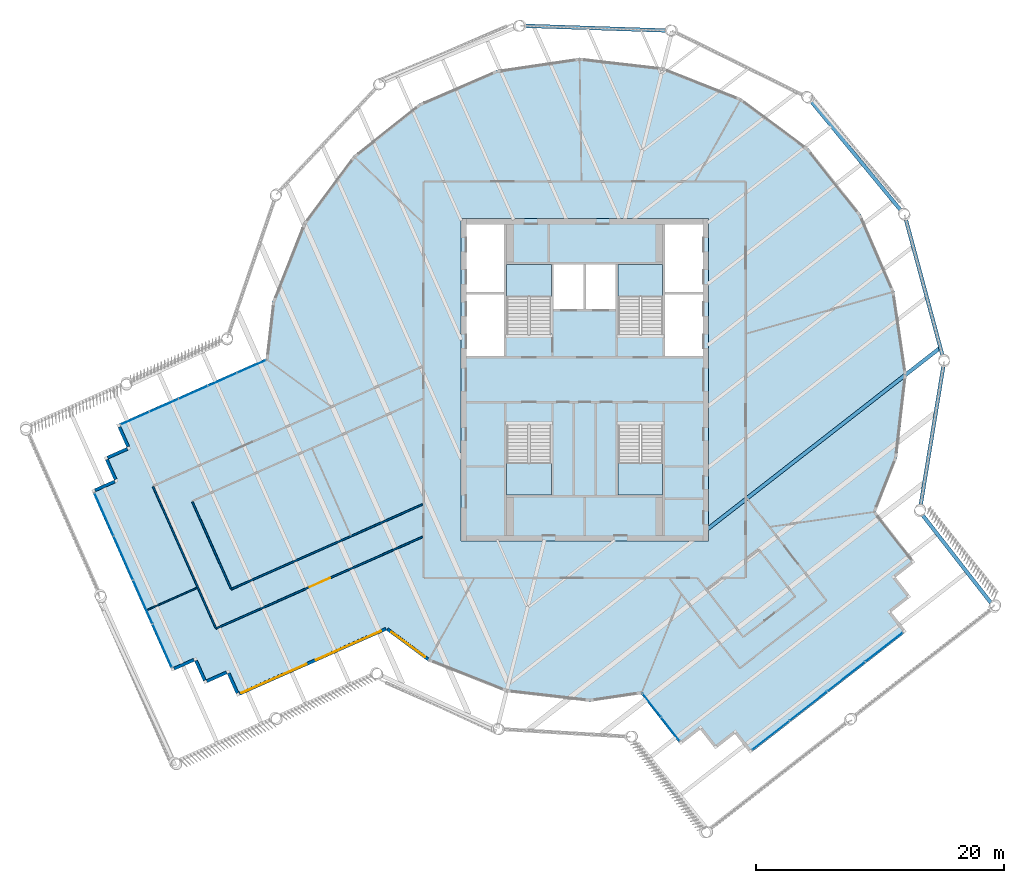
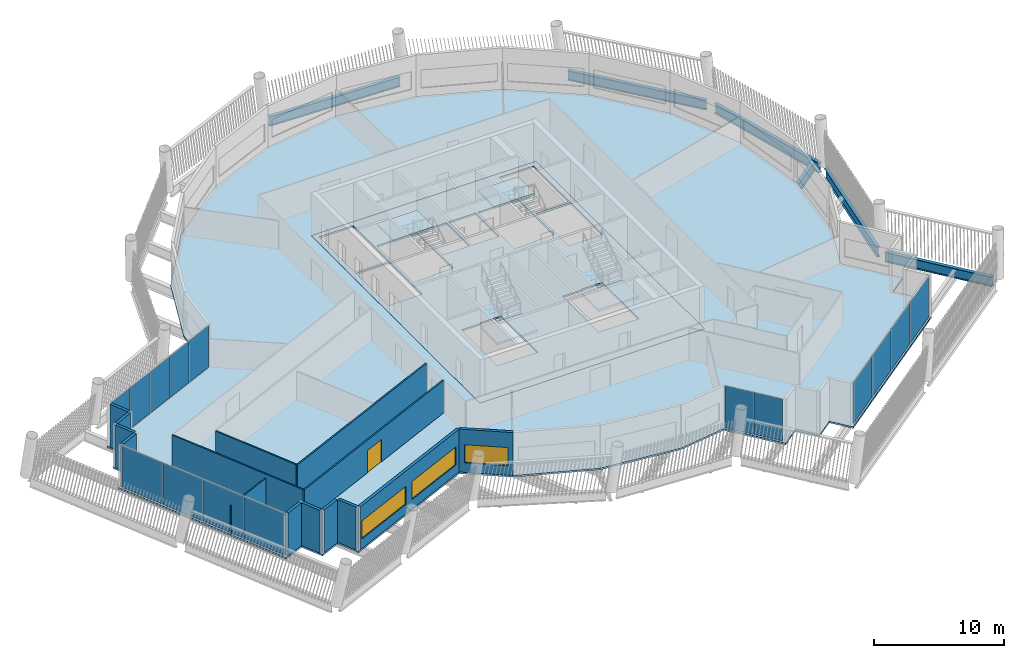
# One storey, part 16 of 28: 15 plates, 15 walls, 6 beams, 6 slabs, 3 windows, 1 door, 4 openings, 8 elements without a shape of their own.
"""IFC4 building model written with IfcOpenShell, lengths in metres."""

from ifc_helpers import new_model, si_unit, direction, frame, frame_2d, origin, origin_2d, place, context, subcontext, project, spatial, polyline, rectangle, i_section, outline, extrude, material, layer, layer_set, material_profile, profile_set, type_object, element, fill, aggregate, save


model = new_model("IFC4")

# Units and contexts
model_context = context("Model", 3, precision=1e-05, world=origin(), true_north=direction((0.0, 1.0)))
body_context = subcontext(model_context, "Body", "Model", "MODEL_VIEW")
ifc_project = project(units=[si_unit("LENGTHUNIT", "METRE"), si_unit("AREAUNIT", "SQUARE_METRE"), si_unit("VOLUMEUNIT", "CUBIC_METRE"), si_unit("PLANEANGLEUNIT", "RADIAN"), si_unit("MASSUNIT", "GRAM", prefix="KILO")], contexts=[model_context])

# Site, building, storey
site_placement = place(None, origin())
site = spatial("IfcSite", under=ifc_project, at=site_placement, CompositionType="ELEMENT")
building_placement = place(site_placement, origin())
building = spatial("IfcBuilding", under=site, at=building_placement, Name="Tarsis Ring Headquarters", CompositionType="ELEMENT")
storey_placement = place(building_placement, frame((0.0, 0.0, 381.800048828125)))
storey = spatial("IfcBuildingStorey", under=building, at=storey_placement, Name="L90", CompositionType="ELEMENT", Elevation=381.800048828125)

# Beams
ifc_material_1 = material(Name="Structural steel S355", Category="steel")
ifc_material_profile = material_profile(ifc_material_1, i_section(OverallWidth=0.3046875, OverallDepth=0.91943359375, WebThickness=0.017333984375, FlangeThickness=0.02783203125, at=origin_2d()), Name="W36x170")
ifc_profile_set = profile_set([ifc_material_profile], Name="Structural steel S355")
beam_type_1 = type_object("IfcBeamType", Name="FB Floor beam W36x170", PredefinedType="JOIST", material=ifc_profile_set)
beam_1_placement = place(storey_placement, frame((9.921142578125, -12.046142578125, -0.619873046875), z_axis=(0.788868763994, 0.614561691935, 0.0), x_axis=(-0.614561691935, 0.788868763994, 0.0)))
element("IfcBeam", 1, at=beam_1_placement, inside=storey, type_object=beam_type_1, Name="Floor beam FB9", PredefinedType="JOIST", context=body_context, shape_type="SweptSolid", body=[
    extrude(i_section(OverallWidth=0.3046875, OverallDepth=0.91943359375, WebThickness=0.017333984375, FlangeThickness=0.02783203125, at=origin_2d()), origin(), (0.0, 0.0, 1.0), 23.75048828125),
])
beam_type_2 = type_object("IfcBeamType", Name="XG Ring girder W36x170", PredefinedType="BEAM", material=ifc_profile_set)
beam_2_placement = place(storey_placement, frame((32.80908203125, -18.032470703125, -0.459716796875), z_axis=(-0.614568961732, 0.788863100465, 0.0), x_axis=(-0.788863100465, -0.614568961732, 0.0)))
element("IfcBeam", 2, at=beam_2_placement, inside=storey, type_object=beam_type_2, Name="Ring girder XG4", PredefinedType="BEAM", context=body_context, shape_type="SweptSolid", body=[
    extrude(i_section(OverallWidth=0.3046875, OverallDepth=0.91943359375, WebThickness=0.017333984375, FlangeThickness=0.02783203125, at=origin_2d()), origin(), (0.0, 0.0, 1.0), 8.9814453125),
])
for number, where, z_axis, x_axis, name in (
    (3, (27.102783203125, -10.216552734375, -0.459716796875), (0.161238084638, 0.986915538464, 0.0), (-0.986915538464, 0.161238084638, 0.0), "Ring girder XG4"),
    (4, (28.904541015625, 1.86328125, -0.459716796875), (-0.259892246761, 0.96563762358, 0.0), (-0.96563762358, -0.259892246761, 0.0), "Ring girder XG4"),
):
    element("IfcBeam", number, at=place(storey_placement, frame(where, z_axis=z_axis, x_axis=x_axis)), inside=storey, type_object=beam_type_2, Name=name, PredefinedType="BEAM", context=body_context, shape_type="SweptSolid", body=[
        extrude(i_section(OverallWidth=0.3046875, OverallDepth=0.91943359375, WebThickness=0.017333984375, FlangeThickness=0.02783203125, at=origin_2d()), origin(), (0.0, 0.0, 1.0), 11.42578125),
    ])
beam_3_placement = place(storey_placement, frame((25.56689453125, 13.61181640625, -0.459716796875), z_axis=(-0.634820071796, 0.772660000546, 0.0), x_axis=(-0.772660000546, -0.634820071796, 0.0)))
element("IfcBeam", 5, at=beam_3_placement, inside=storey, type_object=beam_type_2, Name="Ring girder XG4", PredefinedType="BEAM", context=body_context, shape_type="SweptSolid", body=[
    extrude(i_section(OverallWidth=0.3046875, OverallDepth=0.91943359375, WebThickness=0.017333984375, FlangeThickness=0.02783203125, at=origin_2d()), origin(), (0.0, 0.0, 1.0), 11.426025390625),
])
beam_4_placement = place(storey_placement, frame((6.655517578125, 28.189453125, -0.459716796875), z_axis=(-0.999445001837, 0.03331198439, 0.0), x_axis=(-0.03331198439, -0.999445001837, 0.0)))
element("IfcBeam", 6, at=beam_4_placement, inside=storey, type_object=beam_type_2, Name="Ring girder XG4", PredefinedType="BEAM", context=body_context, shape_type="SweptSolid", body=[
    extrude(i_section(OverallWidth=0.3046875, OverallDepth=0.91943359375, WebThickness=0.017333984375, FlangeThickness=0.02783203125, at=origin_2d()), origin(), (0.0, 0.0, 1.0), 11.42578125),
])

# Slab
ifc_material_2 = material(Name="Concrete C40/50", Category="concrete")
ifc_layer_1 = layer(ifc_material_2, 0.159912109375)
ifc_layer_set_1 = layer_set([ifc_layer_1], Name="Core floor slab 160 C40/50")
slab_type_1 = type_object("IfcSlabType", Name="Core floor slab 160 C40/50", PredefinedType="FLOOR", material=ifc_layer_set_1)
slab_1_placement = place(storey_placement, frame((0.0, 0.0, -0.16015625)))
element("IfcSlab", 7, at=slab_1_placement, inside=storey, type_object=slab_type_1, Name="L90 core floor slab", PredefinedType="FLOOR", context=body_context, shape_type="SweptSolid", body=[
    extrude(outline(polyline([(-10.0, -13.0), (10.0, -13.0), (10.0, 13.0), (-10.0, 13.0), (-10.0, -13.0)]), holes=[polyline([(-2.5, 5.699951171875), (-0.10009765625, 5.699951171875), (-0.10009765625, 9.300048828125), (-2.5, 9.300048828125), (-2.5, 5.699951171875)]), polyline([(0.10009765625, 5.699951171875), (2.5, 5.699951171875), (2.5, 9.300048828125), (0.10009765625, 9.300048828125), (0.10009765625, 5.699951171875)]), polyline([(-9.550048828125, 1.89990234375), (-6.5, 1.89990234375), (-6.5, 6.89990234375), (-9.550048828125, 6.89990234375), (-9.550048828125, 1.89990234375)]), polyline([(-9.550048828125, 7.10009765625), (-6.5, 7.10009765625), (-6.5, 12.550048828125), (-9.550048828125, 12.550048828125), (-9.550048828125, 7.10009765625)]), polyline([(6.5, 1.89990234375), (9.550048828125, 1.89990234375), (9.550048828125, 6.89990234375), (6.5, 6.89990234375), (6.5, 1.89990234375)]), polyline([(6.5, 7.10009765625), (9.550048828125, 7.10009765625), (9.550048828125, 12.550048828125), (6.5, 12.550048828125), (6.5, 7.10009765625)]), polyline([(-2.699951171875, 3.760009765625), (-2.699951171875, 9.300048828125), (-6.300048828125, 9.300048828125), (-6.300048828125, 3.659912109375), (-4.4599609375, 3.659912109375), (-4.4599609375, 3.760009765625), (-2.699951171875, 3.760009765625)]), polyline([(6.300048828125, 3.760009765625), (6.300048828125, 9.300048828125), (2.699951171875, 9.300048828125), (2.699951171875, 3.659912109375), (4.5400390625, 3.659912109375), (4.5400390625, 3.760009765625), (6.300048828125, 3.760009765625)]), polyline([(-6.300048828125, -3.760009765625), (-6.300048828125, -9.300048828125), (-2.699951171875, -9.300048828125), (-2.699951171875, -3.659912109375), (-4.5400390625, -3.659912109375), (-4.5400390625, -3.760009765625), (-6.300048828125, -3.760009765625)]), polyline([(2.699951171875, -3.760009765625), (2.699951171875, -9.300048828125), (6.300048828125, -9.300048828125), (6.300048828125, -3.659912109375), (4.4599609375, -3.659912109375), (4.4599609375, -3.760009765625), (2.699951171875, -3.760009765625)])]), origin(), (0.0, 0.0, 1.0), 0.16015625),
])

# Stair, slab
ifc_material_3 = material(Name="Core stair 1760")
stair_type = type_object("IfcStairType", Name="Core stair 1760", PredefinedType="HALF_TURN_STAIR", material=ifc_material_3)
stair_1_placement = place(storey_placement, origin())
stair_1 = element("IfcStair", 8, at=stair_1_placement, inside=storey, type_object=stair_type, Name="L90 Firefighting stair", PredefinedType="HALF_TURN_STAIR")
ifc_layer_2 = layer(ifc_material_2, 0.199951171875)
ifc_layer_set_2 = layer_set([ifc_layer_2], Name="Core stair landing 200")
slab_type_2 = type_object("IfcSlabType", Name="Core stair landing 200", PredefinedType="LANDING", material=ifc_layer_set_2)
slab_2_placement = place(storey_placement, frame((0.0, 0.0, 1.89990234375)))
slab_2 = element("IfcSlab", 9, at=slab_2_placement, type_object=slab_type_2, Name="Stair ST1 landing 1", PredefinedType="LANDING", context=body_context, shape_type="SweptSolid", body=[
    extrude(outline(polyline([(-2.699951171875, 6.739990234375), (-2.699951171875, 9.300048828125), (-6.300048828125, 9.300048828125), (-6.300048828125, 6.739990234375), (-2.699951171875, 6.739990234375)])), origin(), (0.0, 0.0, 1.0), 0.199951171875),
])
aggregate(stair_1, [slab_2])

stair_2_placement = place(storey_placement, origin())
stair_2 = element("IfcStair", 10, at=stair_2_placement, inside=storey, type_object=stair_type, Name="L90 Exit stair B", PredefinedType="HALF_TURN_STAIR")
slab_3_placement = place(storey_placement, frame((0.0, 0.0, 1.89990234375)))
slab_3 = element("IfcSlab", 11, at=slab_3_placement, type_object=slab_type_2, Name="Stair ST2 landing 1", PredefinedType="LANDING", context=body_context, shape_type="SweptSolid", body=[
    extrude(outline(polyline([(6.300048828125, 6.739990234375), (6.300048828125, 9.300048828125), (2.699951171875, 9.300048828125), (2.699951171875, 6.739990234375), (6.300048828125, 6.739990234375)])), origin(), (0.0, 0.0, 1.0), 0.199951171875),
])
aggregate(stair_2, [slab_3])

stair_3_placement = place(storey_placement, origin())
stair_3 = element("IfcStair", 12, at=stair_3_placement, inside=storey, type_object=stair_type, Name="L90 Exit stair C", PredefinedType="HALF_TURN_STAIR")
slab_4_placement = place(storey_placement, frame((0.0, 0.0, 1.89990234375)))
slab_4 = element("IfcSlab", 13, at=slab_4_placement, type_object=slab_type_2, Name="Stair ST3 landing 1", PredefinedType="LANDING", context=body_context, shape_type="SweptSolid", body=[
    extrude(outline(polyline([(-6.300048828125, -6.739990234375), (-6.300048828125, -9.300048828125), (-2.699951171875, -9.300048828125), (-2.699951171875, -6.739990234375), (-6.300048828125, -6.739990234375)])), origin(), (0.0, 0.0, 1.0), 0.199951171875),
])
aggregate(stair_3, [slab_4])

stair_4_placement = place(storey_placement, origin())
stair_4 = element("IfcStair", 14, at=stair_4_placement, inside=storey, type_object=stair_type, Name="L90 Exit stair D", PredefinedType="HALF_TURN_STAIR")
slab_5_placement = place(storey_placement, frame((0.0, 0.0, 1.89990234375)))
slab_5 = element("IfcSlab", 15, at=slab_5_placement, type_object=slab_type_2, Name="Stair ST4 landing 1", PredefinedType="LANDING", context=body_context, shape_type="SweptSolid", body=[
    extrude(outline(polyline([(2.699951171875, -6.739990234375), (2.699951171875, -9.300048828125), (6.300048828125, -9.300048828125), (6.300048828125, -6.739990234375), (2.699951171875, -6.739990234375)])), origin(), (0.0, 0.0, 1.0), 0.199951171875),
])
aggregate(stair_4, [slab_5])

# Curtain wall, plates
ifc_material_4 = material(Name="Aluminium curtain wall", Category="aluminium")
ifc_layer_3 = layer(ifc_material_4, 0.199951171875)
ifc_layer_set_3 = layer_set([ifc_layer_3], Name="Curtain wall executive tip")
curtain_wall_type_1 = type_object("IfcCurtainWallType", Name="Curtain wall executive tip", PredefinedType="NOTDEFINED", material=ifc_layer_set_3)
curtain_wall_1_placement = place(storey_placement, origin())
curtain_wall_1 = element("IfcCurtainWall", 16, at=curtain_wall_1_placement, inside=storey, type_object=curtain_wall_type_1, Name="Curtain wall L90-11", PredefinedType="NOTDEFINED")
ifc_material_5 = material(Name="Clear double glazing", Category="glass")
ifc_layer_4 = layer(ifc_material_5, 0.028076171875)
ifc_layer_set_4 = layer_set([ifc_layer_4], Name="Curtain wall glass panel executive tip")
plate_type_1 = type_object("IfcPlateType", Name="Curtain wall glass panel executive tip", PredefinedType="CURTAIN_PANEL", material=ifc_layer_set_4)
plate_1_placement = place(storey_placement, frame((15.017578125, -28.70654296875, 0.070068359375), z_axis=(0.0, 0.0, 1.0), x_axis=(0.788869647742, 0.61456055753, 0.0)))
plate_1 = element("IfcPlate", 17, at=plate_1_placement, type_object=plate_type_1, Name="CW-E panel 1.1", PredefinedType="CURTAIN_PANEL", context=body_context, shape_type="SweptSolid", body=[
    extrude(rectangle(XDim=3.77001953125, YDim=0.028076171875, at=origin_2d()), origin(), (0.0, 0.0, 1.0), 3.89990234375),
])
plate_2_placement = place(storey_placement, frame((18.060791015625, -26.3359375, 0.070068359375), z_axis=(0.0, 0.0, 1.0), x_axis=(0.788869647742, 0.61456055753, 0.0)))
plate_2 = element("IfcPlate", 18, at=plate_2_placement, type_object=plate_type_1, Name="CW-E panel 2.1", PredefinedType="CURTAIN_PANEL", context=body_context, shape_type="SweptSolid", body=[
    extrude(rectangle(XDim=3.804931640625, YDim=0.028076171875, at=origin_2d()), origin(), (0.0, 0.0, 1.0), 3.89990234375),
])
plate_3_placement = place(storey_placement, frame((21.11767578125, -23.95458984375, 0.070068359375), z_axis=(0.0, 0.0, 1.0), x_axis=(0.788869647742, 0.61456055753, 0.0)))
plate_3 = element("IfcPlate", 19, at=plate_3_placement, type_object=plate_type_1, Name="CW-E panel 3.1", PredefinedType="CURTAIN_PANEL", context=body_context, shape_type="SweptSolid", body=[
    extrude(rectangle(XDim=3.804931640625, YDim=0.028076171875, at=origin_2d()), origin(), (0.0, 0.0, 1.0), 3.89990234375),
])
plate_4_placement = place(storey_placement, frame((24.16064453125, -21.583740234375, 0.070068359375), z_axis=(0.0, 0.0, 1.0), x_axis=(0.788869647742, 0.61456055753, 0.0)))
plate_4 = element("IfcPlate", 20, at=plate_4_placement, type_object=plate_type_1, Name="CW-E panel 4.1", PredefinedType="CURTAIN_PANEL", context=body_context, shape_type="SweptSolid", body=[
    extrude(rectangle(XDim=3.77001953125, YDim=0.028076171875, at=origin_2d()), origin(), (0.0, 0.0, 1.0), 3.89990234375),
])
aggregate(curtain_wall_1, [plate_1, plate_2, plate_3, plate_4])

curtain_wall_2_placement = place(storey_placement, origin())
curtain_wall_2 = element("IfcCurtainWall", 21, at=curtain_wall_2_placement, inside=storey, type_object=curtain_wall_type_1, Name="Curtain wall L90-36", PredefinedType="NOTDEFINED")
plate_5_placement = place(storey_placement, frame((-38.7998046875, -10.870361328125, 0.070068359375), z_axis=(0.0, 0.0, 1.0), x_axis=(0.405460771432, -0.914112445397, 0.0)))
plate_5 = element("IfcPlate", 22, at=plate_5_placement, type_object=plate_type_1, Name="CW-E panel 1.1", PredefinedType="CURTAIN_PANEL", context=body_context, shape_type="SweptSolid", body=[
    extrude(rectangle(XDim=3.77001953125, YDim=0.028076171875, at=origin_2d()), origin(), (0.0, 0.0, 1.0), 3.89990234375),
])
plate_6_placement = place(storey_placement, frame((-37.23583984375, -14.396728515625, 0.070068359375), z_axis=(0.0, 0.0, 1.0), x_axis=(0.405460771432, -0.914112445397, 0.0)))
plate_6 = element("IfcPlate", 23, at=plate_6_placement, type_object=plate_type_1, Name="CW-E panel 2.1", PredefinedType="CURTAIN_PANEL", context=body_context, shape_type="SweptSolid", body=[
    extrude(rectangle(XDim=3.804931640625, YDim=0.028076171875, at=origin_2d()), origin(), (0.0, 0.0, 1.0), 3.89990234375),
])
plate_7_placement = place(storey_placement, frame((-35.66455078125, -17.938720703125, 0.070068359375), z_axis=(0.0, 0.0, 1.0), x_axis=(0.405460771432, -0.914112445397, 0.0)))
plate_7 = element("IfcPlate", 24, at=plate_7_placement, type_object=plate_type_1, Name="CW-E panel 3.1", PredefinedType="CURTAIN_PANEL", context=body_context, shape_type="SweptSolid", body=[
    extrude(rectangle(XDim=3.804931640625, YDim=0.028076171875, at=origin_2d()), origin(), (0.0, 0.0, 1.0), 3.89990234375),
])
plate_8_placement = place(storey_placement, frame((-34.1005859375, -21.465087890625, 0.070068359375), z_axis=(0.0, 0.0, 1.0), x_axis=(0.405460771432, -0.914112445397, 0.0)))
plate_8 = element("IfcPlate", 25, at=plate_8_placement, type_object=plate_type_1, Name="CW-E panel 4.1", PredefinedType="CURTAIN_PANEL", context=body_context, shape_type="SweptSolid", body=[
    extrude(rectangle(XDim=3.77001953125, YDim=0.028076171875, at=origin_2d()), origin(), (0.0, 0.0, 1.0), 3.89990234375),
])
aggregate(curtain_wall_2, [plate_5, plate_6, plate_7, plate_8])

ifc_layer_5 = layer(ifc_material_4, 0.14990234375)
ifc_layer_set_5 = layer_set([ifc_layer_5], Name="Curtain wall tower unit")
curtain_wall_type_2 = type_object("IfcCurtainWallType", Name="Curtain wall tower unit", PredefinedType="NOTDEFINED", material=ifc_layer_set_5)
curtain_wall_3_placement = place(storey_placement, origin())
curtain_wall_3 = element("IfcCurtainWall", 26, at=curtain_wall_3_placement, inside=storey, type_object=curtain_wall_type_2, Name="Curtain wall L90-06", PredefinedType="NOTDEFINED")
ifc_layer_6 = layer(ifc_material_5, 0.028076171875)
ifc_layer_set_6 = layer_set([ifc_layer_6], Name="Curtain wall glass panel tower unit")
plate_type_2 = type_object("IfcPlateType", Name="Curtain wall glass panel tower unit", PredefinedType="CURTAIN_PANEL", material=ifc_layer_set_6)
plate_9_placement = place(storey_placement, frame((5.4267578125, -26.288818359375, 0.06005859375), z_axis=(0.0, 0.0, 1.0), x_axis=(0.61456050561, -0.78886968819, 0.0)))
plate_9 = element("IfcPlate", 27, at=plate_9_placement, type_object=plate_type_2, Name="CW-T panel 1.1", PredefinedType="CURTAIN_PANEL", context=body_context, shape_type="SweptSolid", body=[
    extrude(rectangle(XDim=2.37109375, YDim=0.028076171875, at=origin_2d()), origin(), (0.0, 0.0, 1.0), 3.919921875),
])
plate_10_placement = place(storey_placement, frame((6.9208984375, -28.20654296875, 0.06005859375), z_axis=(0.0, 0.0, 1.0), x_axis=(0.61456050561, -0.78886968819, 0.0)))
plate_10 = element("IfcPlate", 28, at=plate_10_placement, type_object=plate_type_2, Name="CW-T panel 2.1", PredefinedType="CURTAIN_PANEL", context=body_context, shape_type="SweptSolid", body=[
    extrude(rectangle(XDim=2.37109375, YDim=0.028076171875, at=origin_2d()), origin(), (0.0, 0.0, 1.0), 3.919921875),
])
aggregate(curtain_wall_3, [plate_9, plate_10])

curtain_wall_4_placement = place(storey_placement, origin())
curtain_wall_4 = element("IfcCurtainWall", 29, at=curtain_wall_4_placement, inside=storey, type_object=curtain_wall_type_2, Name="Curtain wall L90-31", PredefinedType="NOTDEFINED")
plate_11_placement = place(storey_placement, frame((-26.89404296875, 1.061767578125, 0.06005859375), z_axis=(0.0, 0.0, 1.0), x_axis=(-0.914112489697, -0.405460671558, 0.0)))
plate_11 = element("IfcPlate", 30, at=plate_11_placement, type_object=plate_type_2, Name="CW-T panel 1.1", PredefinedType="CURTAIN_PANEL", context=body_context, shape_type="SweptSolid", body=[
    extrude(rectangle(XDim=2.490234375, YDim=0.028076171875, at=origin_2d()), origin(), (0.0, 0.0, 1.0), 3.919921875),
])
plate_12_placement = place(storey_placement, frame((-29.239013671875, 0.021484375, 0.06005859375), z_axis=(0.0, 0.0, 1.0), x_axis=(-0.914112489697, -0.405460671558, 0.0)))
plate_12 = element("IfcPlate", 31, at=plate_12_placement, type_object=plate_type_2, Name="CW-T panel 2.1", PredefinedType="CURTAIN_PANEL", context=body_context, shape_type="SweptSolid", body=[
    extrude(rectangle(XDim=2.520263671875, YDim=0.028076171875, at=origin_2d()), origin(), (0.0, 0.0, 1.0), 3.919921875),
])
plate_13_placement = place(storey_placement, frame((-31.59765625, -1.024658203125, 0.06005859375), z_axis=(0.0, 0.0, 1.0), x_axis=(-0.914112489697, -0.405460671558, 0.0)))
plate_13 = element("IfcPlate", 32, at=plate_13_placement, type_object=plate_type_2, Name="CW-T panel 3.1", PredefinedType="CURTAIN_PANEL", context=body_context, shape_type="SweptSolid", body=[
    extrude(rectangle(XDim=2.520263671875, YDim=0.028076171875, at=origin_2d()), origin(), (0.0, 0.0, 1.0), 3.919921875),
])
plate_14_placement = place(storey_placement, frame((-33.956298828125, -2.07080078125, 0.06005859375), z_axis=(0.0, 0.0, 1.0), x_axis=(-0.914112489697, -0.405460671558, 0.0)))
plate_14 = element("IfcPlate", 33, at=plate_14_placement, type_object=plate_type_2, Name="CW-T panel 4.1", PredefinedType="CURTAIN_PANEL", context=body_context, shape_type="SweptSolid", body=[
    extrude(rectangle(XDim=2.520263671875, YDim=0.028076171875, at=origin_2d()), origin(), (0.0, 0.0, 1.0), 3.919921875),
])
plate_15_placement = place(storey_placement, frame((-36.30126953125, -3.11083984375, 0.06005859375), z_axis=(0.0, 0.0, 1.0), x_axis=(-0.914112489697, -0.405460671558, 0.0)))
plate_15 = element("IfcPlate", 34, at=plate_15_placement, type_object=plate_type_2, Name="CW-T panel 5.1", PredefinedType="CURTAIN_PANEL", context=body_context, shape_type="SweptSolid", body=[
    extrude(rectangle(XDim=2.490234375, YDim=0.028076171875, at=origin_2d()), origin(), (0.0, 0.0, 1.0), 3.919921875),
])
aggregate(curtain_wall_4, [plate_11, plate_12, plate_13, plate_14, plate_15])

# Slab
ifc_material_6 = material(Name="Concrete C35/45", Category="concrete")
ifc_layer_7 = layer(ifc_material_6, 0.159912109375)
ifc_layer_set_7 = layer_set([ifc_layer_7], Name="FS Composite floor slab 160")
slab_type_3 = type_object("IfcSlabType", Name="FS Composite floor slab 160", PredefinedType="FLOOR", material=ifc_layer_set_7)
slab_6_placement = place(storey_placement, frame((0.0, 0.0, -0.16015625)))
element("IfcSlab", 35, at=slab_6_placement, inside=storey, type_object=slab_type_3, Name="Floor slab L90", PredefinedType="FLOOR", context=body_context, shape_type="SweptSolid", body=[
    extrude(outline(polyline([(-16.001953125, -20.22509765625), (-12.63671875, -22.722412109375), (-6.3251953125, -25.218994140625), (0.41748046875, -25.99658203125), (4.562744140625, -25.383056640625), (7.7412109375, -29.463134765625), (9.319091796875, -28.23388671875), (10.548095703125, -29.811767578125), (12.1259765625, -28.58251953125), (13.35498046875, -30.160400390625), (25.976806640625, -20.327392578125), (24.747802734375, -18.74951171875), (26.325439453125, -17.5205078125), (25.096435546875, -15.942626953125), (26.674072265625, -14.713623046875), (23.50830078125, -10.64990234375), (25.218994140625, -6.3251953125), (25.99658203125, 0.41748046875), (25.002685546875, 7.131591796875), (22.304931640625, 13.35986328125), (18.087158203125, 18.677490234375), (12.63671875, 22.722412109375), (6.3251953125, 25.218994140625), (-0.41748046875, 25.99658203125), (-7.131591796875, 25.002685546875), (-13.35986328125, 22.304931640625), (-18.677490234375, 18.087158203125), (-22.722412109375, 12.63671875), (-25.218994140625, 6.3251953125), (-25.751708984375, 1.705078125), (-37.773681640625, -3.627197265625), (-36.962646484375, -5.45556640625), (-38.790771484375, -6.266357421875), (-37.97998046875, -8.0947265625), (-39.80810546875, -8.905517578125), (-33.32080078125, -23.53125), (-31.49267578125, -22.720458984375), (-30.681640625, -24.548583984375), (-28.853515625, -23.73779296875), (-28.04248046875, -25.56591796875), (-16.001953125, -20.22509765625)]), holes=[polyline([(-10.0, -13.0), (-10.0, 13.0), (10.0, 13.0), (10.0, -13.0), (-10.0, -13.0)])]), origin(), (0.0, 0.0, 1.0), 0.16015625),
])

# Wall
ifc_material_7 = material(Name="Gypsum board on steel studs", Category="steel")
ifc_layer_8 = layer(ifc_material_7, 0.10009765625)
ifc_layer_set_8 = layer_set([ifc_layer_8], Name="FL partition 100 unrated")
wall_type_1 = type_object("IfcWallType", Name="FL partition 100 unrated", PredefinedType="PARTITIONING", material=ifc_layer_set_8)
wall_1_placement = place(storey_placement, frame((-35.436279296875, -18.638916015625, 0.0), z_axis=(0.0, 0.0, 1.0), x_axis=(0.914112877438, 0.405459797393, 0.0)))
element("IfcWall", 36, at=wall_1_placement, inside=storey, type_object=wall_type_1, Name="Partition PW3", PredefinedType="PARTITIONING", context=body_context, shape_type="SweptSolid", body=[
    extrude(rectangle(XDim=4.5400390625, YDim=0.10009765625, at=frame_2d((2.27001953125, 0.0))), origin(), (0.0, 0.0, 1.0), 2.699951171875),
])

# Wall, opening, door
ifc_layer_9 = layer(ifc_material_7, 0.125)
ifc_layer_set_9 = layer_set([ifc_layer_9], Name="FL partition 125 EI 60 H3070")
wall_type_2 = type_object("IfcWallType", Name="FL partition 125 EI 60 H3070", PredefinedType="PARTITIONING", material=ifc_layer_set_9)
wall_2_placement = place(storey_placement, frame((-29.75439453125, -20.07861328125, 0.0), z_axis=(0.0, 0.0, 1.0), x_axis=(0.91411268773, 0.405460225092, 0.0)))
wall_2 = element("IfcWall", 37, at=wall_2_placement, inside=storey, type_object=wall_type_2, Name="Partition PW1H307", PredefinedType="PARTITIONING", context=body_context, shape_type="SweptSolid", body=[
    extrude(rectangle(XDim=18.238525390625, YDim=0.125, at=frame_2d((9.119140625, 0.0))), origin(), (0.0, 0.0, 1.0), 3.070068359375),
])
opening_1_placement = place(wall_2_placement, frame((8.264404296875, 0.0, 0.0)))
opening_1 = element("IfcOpeningElement", 38, at=opening_1_placement, cuts=wall_2, Name="Opening D90.01", PredefinedType="OPENING", context=body_context, shape_type="SweptSolid", body=[
    extrude(rectangle(XDim=1.800048828125, YDim=2.10009765625, at=frame_2d((0.89990234375, 1.050048828125))), frame((0.0, 0.072509765625, 0.0), z_axis=(0.0, -1.0, 0.0), x_axis=(1.0, 0.0, 0.0)), (0.0, 0.0, 1.0), 0.14501953125),
])
ifc_material_8 = material(Name="Fire-rated timber door leaf in steel frame", Category="steel")
door_type = type_object("IfcDoorType", Name="FL door FD60-1800", OperationType="DOUBLE_DOOR_SINGLE_SWING", PredefinedType="DOOR", material=ifc_material_8)
door_placement = place(opening_1_placement, origin())
door = element("IfcDoor", 39, at=door_placement, inside=storey, type_object=door_type, Name="Door D90.01", OperationType="DOUBLE_DOOR_SINGLE_SWING", OverallHeight=2.10009765625, OverallWidth=1.800048828125, PredefinedType="DOOR", context=body_context, shape_type="SweptSolid", body=[
    extrude(rectangle(XDim=1.800048828125, YDim=2.10009765625, at=frame_2d((0.89990234375, 1.050048828125))), frame((0.0, 0.02490234375, 0.0), z_axis=(0.0, -1.0, 0.0), x_axis=(1.0, 0.0, 0.0)), (0.0, 0.0, 1.0), 0.050048828125),
])
fill(opening_1, door)

# Walls
wall_3_placement = place(storey_placement, frame((-28.53369140625, -16.911865234375, 0.0), z_axis=(0.0, 0.0, 1.0), x_axis=(0.914108510454, 0.405469642655, 0.0)))
element("IfcWall", 40, at=wall_3_placement, inside=storey, type_object=wall_type_2, Name="Partition PW1H307", PredefinedType="PARTITIONING", context=body_context, shape_type="SweptSolid", body=[
    extrude(rectangle(XDim=16.9033203125, YDim=0.125, at=frame_2d((8.45166015625, 0.0))), origin(), (0.0, 0.0, 1.0), 3.070068359375),
])
wall_4_placement = place(storey_placement, frame((-34.830810546875, -8.634033203125, 0.0), z_axis=(0.0, 0.0, 1.0), x_axis=(0.40545660645, -0.914114292791, 0.0)))
element("IfcWall", 41, at=wall_4_placement, inside=storey, type_object=wall_type_2, Name="Partition PW1H307", PredefinedType="PARTITIONING", context=body_context, shape_type="SweptSolid", body=[
    extrude(rectangle(XDim=12.4599609375, YDim=0.125, at=frame_2d((6.22998046875, 0.0))), origin(), (0.0, 0.0, 1.0), 3.070068359375),
])
wall_5_placement = place(storey_placement, frame((-31.663818359375, -9.854736328125, 0.0), z_axis=(0.0, 0.0, 1.0), x_axis=(0.405443408101, -0.914120146823, 0.0)))
element("IfcWall", 42, at=wall_5_placement, inside=storey, type_object=wall_type_2, Name="Partition PW1H307", PredefinedType="PARTITIONING", context=body_context, shape_type="SweptSolid", body=[
    extrude(rectangle(XDim=7.66015625, YDim=0.125, at=frame_2d((3.830078125, 0.0))), origin(), (0.0, 0.0, 1.0), 3.070068359375),
])

# Wall, openings, windows
ifc_material_9 = material(Name="Terracotta clad insulated panel wall", Category="masonry")
ifc_layer_10 = layer(ifc_material_9, 0.25)
ifc_layer_set_10 = layer_set([ifc_layer_10], Name="Facade wall terracotta panel 250")
wall_type_3 = type_object("IfcWallType", Name="Facade wall terracotta panel 250", PredefinedType="STANDARD", material=ifc_layer_set_10)
wall_6_placement = place(storey_placement, frame((-27.86474609375, -25.350341796875, 0.0), z_axis=(0.0, 0.0, 1.0), x_axis=(0.914109697676, 0.405466966121, 0.0)))
wall_6 = element("IfcWall", 43, at=wall_6_placement, inside=storey, type_object=wall_type_3, Name="External wall L90-01", PredefinedType="STANDARD", context=body_context, shape_type="SweptSolid", body=[
    extrude(rectangle(XDim=12.922119140625, YDim=0.25, at=frame_2d((6.4609375, 0.0))), origin(), (0.0, 0.0, 1.0), 4.0400390625),
])
opening_2_placement = place(wall_6_placement, frame((0.16796875, 0.0, 0.89990234375)))
opening_2 = element("IfcOpeningElement", 44, at=opening_2_placement, cuts=wall_6, Name="Opening WN06", PredefinedType="OPENING", context=body_context, shape_type="SweptSolid", body=[
    extrude(rectangle(XDim=5.75, YDim=1.699951171875, at=frame_2d((2.875, 0.85009765625))), frame((0.0, 0.135009765625, 0.0), z_axis=(0.0, -1.0, 0.0), x_axis=(1.0, 0.0, 0.0)), (0.0, 0.0, 1.0), 0.27001953125),
])
opening_3_placement = place(wall_6_placement, frame((6.75390625, 0.0, 0.89990234375)))
opening_3 = element("IfcOpeningElement", 45, at=opening_3_placement, cuts=wall_6, Name="Opening WN06", PredefinedType="OPENING", context=body_context, shape_type="SweptSolid", body=[
    extrude(rectangle(XDim=5.75, YDim=1.699951171875, at=frame_2d((2.875, 0.85009765625))), frame((0.0, 0.135009765625, 0.0), z_axis=(0.0, -1.0, 0.0), x_axis=(1.0, 0.0, 0.0)), (0.0, 0.0, 1.0), 0.27001953125),
])
ifc_material_10 = material(Name="Aluminium framed double glazing", Category="aluminium")
window_type_1 = type_object("IfcWindowType", Name="Facade window 5750 x 1700", PartitioningType="SINGLE_PANEL", PredefinedType="WINDOW", material=ifc_material_10)
window_1_placement = place(opening_2_placement, origin())
window_1 = element("IfcWindow", 46, at=window_1_placement, inside=storey, type_object=window_type_1, Name="Window L90-01.1", OverallHeight=1.699951171875, OverallWidth=5.75, PartitioningType="SINGLE_PANEL", PredefinedType="WINDOW", context=body_context, shape_type="SweptSolid", body=[
    extrude(rectangle(XDim=5.75, YDim=1.699951171875, at=frame_2d((2.875, 0.85009765625))), frame((0.0, 0.030029296875, 0.0), z_axis=(0.0, -1.0, 0.0), x_axis=(1.0, 0.0, 0.0)), (0.0, 0.0, 1.0), 0.06005859375),
])
fill(opening_2, window_1)
window_2_placement = place(opening_3_placement, origin())
window_2 = element("IfcWindow", 47, at=window_2_placement, inside=storey, type_object=window_type_1, Name="Window L90-01.2", OverallHeight=1.699951171875, OverallWidth=5.75, PartitioningType="SINGLE_PANEL", PredefinedType="WINDOW", context=body_context, shape_type="SweptSolid", body=[
    extrude(rectangle(XDim=5.75, YDim=1.699951171875, at=frame_2d((2.875, 0.85009765625))), frame((0.0, 0.030029296875, 0.0), z_axis=(0.0, -1.0, 0.0), x_axis=(1.0, 0.0, 0.0)), (0.0, 0.0, 1.0), 0.06005859375),
])
fill(opening_3, window_2)

# Wall, opening, window
wall_7_placement = place(storey_placement, frame((-15.92724609375, -20.124755859375, 0.0), z_axis=(0.0, 0.0, 1.0), x_axis=(0.803012815124, -0.595961759466, 0.0)))
wall_7 = element("IfcWall", 48, at=wall_7_placement, inside=storey, type_object=wall_type_3, Name="External wall L90-02", PredefinedType="STANDARD", context=body_context, shape_type="SweptSolid", body=[
    extrude(rectangle(XDim=4.15771484375, YDim=0.25, at=frame_2d((2.078857421875, 0.0))), origin(), (0.0, 0.0, 1.0), 4.0400390625),
])
opening_4_placement = place(wall_7_placement, frame((0.420166015625, 0.0, 0.89990234375)))
opening_4 = element("IfcOpeningElement", 49, at=opening_4_placement, cuts=wall_7, Name="Opening WN01", PredefinedType="OPENING", context=body_context, shape_type="SweptSolid", body=[
    extrude(rectangle(XDim=3.35009765625, YDim=1.699951171875, at=frame_2d((1.675048828125, 0.85009765625))), frame((0.0, 0.135009765625, 0.0), z_axis=(0.0, -1.0, 0.0), x_axis=(1.0, 0.0, 0.0)), (0.0, 0.0, 1.0), 0.27001953125),
])
window_type_2 = type_object("IfcWindowType", Name="Facade window 3350 x 1700", PartitioningType="SINGLE_PANEL", PredefinedType="WINDOW", material=ifc_material_10)
window_3_placement = place(opening_4_placement, origin())
window_3 = element("IfcWindow", 50, at=window_3_placement, inside=storey, type_object=window_type_2, Name="Window L90-02.1", OverallHeight=1.699951171875, OverallWidth=3.35009765625, PartitioningType="SINGLE_PANEL", PredefinedType="WINDOW", context=body_context, shape_type="SweptSolid", body=[
    extrude(rectangle(XDim=3.35009765625, YDim=1.699951171875, at=frame_2d((1.675048828125, 0.85009765625))), frame((0.0, 0.030029296875, 0.0), z_axis=(0.0, -1.0, 0.0), x_axis=(1.0, 0.0, 0.0)), (0.0, 0.0, 1.0), 0.06005859375),
])
fill(opening_4, window_3)

# Walls
for number, where, z_axis, x_axis, name in (
    (51, (-37.557861328125, -3.80517578125, 0.0), (0.0, 0.0, 1.0), (0.405439318876, -0.914121960522, 0.0), "External wall L90-32"),
    (52, (-36.911865234375, -5.56982421875, 0.0), (0.0, 0.0, 1.0), (-0.91414489025, -0.405387616522, 0.0), "External wall L90-33"),
    (53, (-38.5751953125, -6.4443359375, 0.0), (0.0, 0.0, 1.0), (0.405439318876, -0.914121960522, 0.0), "External wall L90-34"),
    (54, (-37.92919921875, -8.208984375, 0.0), (0.0, 0.0, 1.0), (-0.91414489025, -0.405387616522, 0.0), "External wall L90-35"),
    (55, (-33.14306640625, -23.315673828125, 0.0), (0.0, 0.0, 1.0), (0.91414489025, 0.405387616522, 0.0), "External wall L90-37"),
):
    element("IfcWall", number, at=place(storey_placement, frame(where, z_axis=z_axis, x_axis=x_axis)), inside=storey, type_object=wall_type_3, Name=name, PredefinedType="STANDARD", context=body_context, shape_type="SweptSolid", body=[
        extrude(rectangle(XDim=1.75, YDim=0.25, at=frame_2d((0.875, 0.0))), origin(), (0.0, 0.0, 1.0), 4.0400390625),
    ])
wall_8_placement = place(storey_placement, frame((-31.37841796875, -22.669677734375, 0.0), z_axis=(0.0, 0.0, 1.0), x_axis=(0.405504181503, -0.914093189332, 0.0)))
element("IfcWall", 56, at=wall_8_placement, inside=storey, type_object=wall_type_3, Name="External wall L90-38", PredefinedType="STANDARD", context=body_context, shape_type="SweptSolid", body=[
    extrude(rectangle(XDim=1.750244140625, YDim=0.25, at=frame_2d((0.875, 0.0))), origin(), (0.0, 0.0, 1.0), 4.0400390625),
])
for number, where, z_axis, x_axis, name in (
    (57, (-30.50390625, -24.3330078125, 0.0), (0.0, 0.0, 1.0), (0.91414489025, 0.405387616522, 0.0), "External wall L90-39"),
    (58, (-28.7392578125, -23.68701171875, 0.0), (0.0, 0.0, 1.0), (0.405555892873, -0.914070247714, 0.0), "External wall L90-40"),
):
    element("IfcWall", number, at=place(storey_placement, frame(where, z_axis=z_axis, x_axis=x_axis)), inside=storey, type_object=wall_type_3, Name=name, PredefinedType="STANDARD", context=body_context, shape_type="SweptSolid", body=[
        extrude(rectangle(XDim=1.75, YDim=0.25, at=frame_2d((0.875, 0.0))), origin(), (0.0, 0.0, 1.0), 4.0400390625),
    ])

save(model, "model.ifc")
